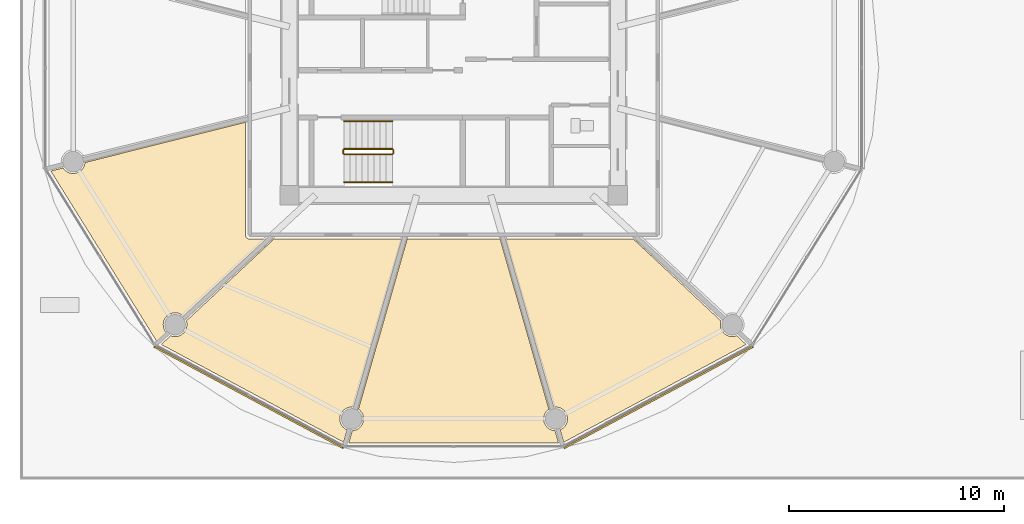
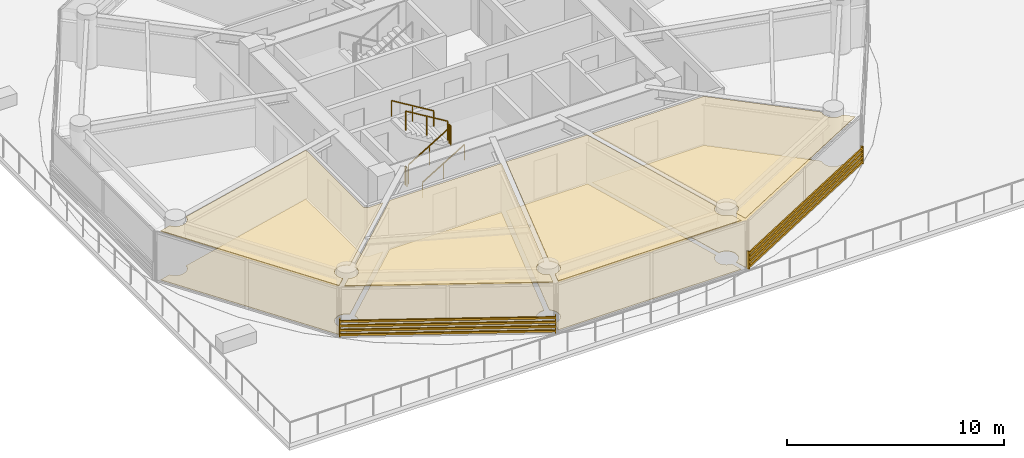
# One storey, part 22 of 32: 8 coverings, 6 railings, 2 shading devices.
"""IFC4 building model written with IfcOpenShell, lengths in metres."""

from ifc_helpers import new_model, si_unit, direction, frame, origin, origin_2d, place, context, subcontext, project, spatial, polyline, rectangle, outline, extrude, source, transform, mapped, material, layer, layer_set, type_object, type_shapes, element, save


model = new_model("IFC4")

# Units and contexts
model_context = context("Model", 3, precision=1e-05, world=origin(), true_north=direction((0.0, 1.0)))
body_context = subcontext(model_context, "Body", "Model", "MODEL_VIEW")
ifc_project = project(units=[si_unit("LENGTHUNIT", "METRE"), si_unit("AREAUNIT", "SQUARE_METRE"), si_unit("VOLUMEUNIT", "CUBIC_METRE"), si_unit("PLANEANGLEUNIT", "RADIAN"), si_unit("MASSUNIT", "GRAM", prefix="KILO")], contexts=[model_context])

# Site, building, storey
site_placement = place(None, origin())
site = spatial("IfcSite", under=ifc_project, at=site_placement, CompositionType="ELEMENT")
building_placement = place(site_placement, origin())
building = spatial("IfcBuilding", under=site, at=building_placement, Name="Norrkilde Senior Care Towers", CompositionType="ELEMENT")
storey_placement = place(building_placement, frame((0.0, 0.0, 21.60009765625)))
storey = spatial("IfcBuildingStorey", under=building, at=storey_placement, Name="L05", CompositionType="ELEMENT", Elevation=21.60009765625)

# Coverings
ifc_material_1 = material(Name="Nordic Ash Timber", Category="wood")
ifc_layer_1 = layer(ifc_material_1, 0.044921875)
ifc_layer_set_1 = layer_set([ifc_layer_1], Name="Nordic Ash Timber")
covering_type_1 = type_object("IfcCoveringType", Name="Acoustic Ash Timber Slatted Ceiling 45", PredefinedType="CEILING", material=ifc_layer_set_1)
covering_1_placement = place(storey_placement, frame((0.0, 0.0, 2.744873046875)))
element("IfcCovering", 1, at=covering_1_placement, inside=storey, type_object=covering_type_1, Name="L05 Suspended Ceiling 0131", PredefinedType="CEILING", context=body_context, shape_type="SweptSolid", body=[
    extrude(outline(polyline([(-37.697265625, -7.833251953125), (-37.69482421875, -7.8447265625), (-37.69287109375, -7.852294921875), (-37.689453125, -7.86376953125), (-37.68701171875, -7.87109375), (-37.682373046875, -7.8818359375), (-37.678955078125, -7.888916015625), (-37.673583984375, -7.8994140625), (-37.66943359375, -7.90625), (-37.662841796875, -7.916015625), (-37.658203125, -7.92236328125), (-37.65087890625, -7.931396484375), (-37.6455078125, -7.937255859375), (-37.63720703125, -7.945556640625), (-37.63134765625, -7.95068359375), (-37.622314453125, -7.958251953125), (-37.615966796875, -7.962890625), (-37.606201171875, -7.969482421875), (-37.599365234375, -7.973388671875), (-37.589111328125, -7.97900390625), (-37.58203125, -7.982421875), (-37.571044921875, -7.98681640625), (-37.563720703125, -7.989501953125), (-37.552490234375, -7.992919921875), (-37.544677734375, -7.994873046875), (-37.533203125, -7.9970703125), (-37.525390625, -7.998291015625), (-37.513671875, -7.99951171875), (-37.505859375, -7.999755859375), (-37.5, -8.0), (-36.72900390625, -8.0), (-40.577880859375, -11.599853515625), (-40.5830078125, -11.593017578125), (-40.697998046875, -11.5048828125), (-40.831787109375, -11.449462890625), (-40.975341796875, -11.430419921875), (-41.119140625, -11.449462890625), (-41.2529296875, -11.5048828125), (-41.367919921875, -11.593017578125), (-41.4560546875, -11.7080078125), (-41.511474609375, -11.841796875), (-41.530517578125, -11.9853515625), (-41.511474609375, -12.129150390625), (-41.4560546875, -12.262939453125), (-41.38525390625, -12.35498046875), (-41.826904296875, -12.76806640625), (-46.763916015625, -4.826171875), (-46.19140625, -4.6826171875), (-46.1171875, -4.779541015625), (-46.002197265625, -4.86767578125), (-45.868408203125, -4.923095703125), (-45.724853515625, -4.94189453125), (-45.5810546875, -4.923095703125), (-45.447265625, -4.86767578125), (-45.332275390625, -4.779541015625), (-45.244140625, -4.66455078125), (-45.188720703125, -4.530517578125), (-45.175048828125, -4.427978515625), (-37.699951171875, -2.5546875), (-37.699951171875, -7.800048828125), (-37.699951171875, -7.805908203125), (-37.699462890625, -7.813720703125), (-37.6982421875, -7.825439453125), (-37.697265625, -7.833251953125)])), origin(), (0.0, 0.0, 1.0), 0.044921875),
])
covering_2_placement = place(storey_placement, frame((0.0, 0.0, 2.744873046875)))
element("IfcCovering", 2, at=covering_2_placement, inside=storey, type_object=covering_type_1, Name="L05 Suspended Ceiling 0132", PredefinedType="CEILING", context=body_context, shape_type="SweptSolid", body=[
    extrude(outline(polyline([(-41.62109375, -12.904296875), (-41.183349609375, -12.494873046875), (-41.119140625, -12.521484375), (-40.975341796875, -12.54052734375), (-40.831787109375, -12.521484375), (-40.697998046875, -12.466064453125), (-40.5830078125, -12.3779296875), (-40.494873046875, -12.262939453125), (-40.439208984375, -12.129150390625), (-40.42041015625, -11.9853515625), (-40.439208984375, -11.841796875), (-40.4521484375, -11.810791015625), (-36.377685546875, -8.0), (-30.416748046875, -8.0), (-32.65966796875, -15.829345703125), (-32.749267578125, -15.8173828125), (-32.89306640625, -15.83642578125), (-33.02685546875, -15.891845703125), (-33.141845703125, -15.97998046875), (-33.22998046875, -16.094970703125), (-33.285400390625, -16.228759765625), (-33.304443359375, -16.37255859375), (-33.285400390625, -16.51611328125), (-33.22998046875, -16.64990234375), (-33.141845703125, -16.764892578125), (-33.02685546875, -16.85302734375), (-32.960693359375, -16.88037109375), (-33.12646484375, -17.458984375), (-41.62109375, -12.904296875)])), origin(), (0.0, 0.0, 1.0), 0.044921875),
])
covering_3_placement = place(storey_placement, frame((0.0, 0.0, 2.744873046875)))
element("IfcCovering", 3, at=covering_3_placement, inside=storey, type_object=covering_type_1, Name="L05 Suspended Ceiling 0133", PredefinedType="CEILING", context=body_context, shape_type="SweptSolid", body=[
    extrude(outline(polyline([(-32.88818359375, -17.49853515625), (-32.7236328125, -16.924072265625), (-32.605712890625, -16.908447265625), (-32.471923828125, -16.85302734375), (-32.35693359375, -16.764892578125), (-32.268798828125, -16.64990234375), (-32.213134765625, -16.51611328125), (-32.1943359375, -16.37255859375), (-32.213134765625, -16.228759765625), (-32.268798828125, -16.094970703125), (-32.35693359375, -15.97998046875), (-32.435791015625, -15.91943359375), (-30.1669921875, -8.0), (-25.8330078125, -8.0), (-23.564208984375, -15.91943359375), (-23.64306640625, -15.97998046875), (-23.731201171875, -16.094970703125), (-23.786865234375, -16.228759765625), (-23.8056640625, -16.37255859375), (-23.786865234375, -16.51611328125), (-23.731201171875, -16.64990234375), (-23.64306640625, -16.764892578125), (-23.528076171875, -16.85302734375), (-23.394287109375, -16.908447265625), (-23.2763671875, -16.924072265625), (-23.11181640625, -17.49853515625), (-32.88818359375, -17.49853515625)])), origin(), (0.0, 0.0, 1.0), 0.044921875),
])
ifc_material_2 = material(Name="Gypsum Acoustic Board")
ifc_layer_2 = layer(ifc_material_2, 0.030029296875)
ifc_layer_set_2 = layer_set([ifc_layer_2], Name="Gypsum Acoustic Board")
covering_type_2 = type_object("IfcCoveringType", Name="Medical Cleanable Gypsum Ceiling 30", PredefinedType="CEILING", material=ifc_layer_set_2)
covering_4_placement = place(storey_placement, frame((0.0, 0.0, 2.760009765625)))
element("IfcCovering", 4, at=covering_4_placement, inside=storey, type_object=covering_type_2, Name="L05 Suspended Ceiling 0134", PredefinedType="CEILING", context=body_context, shape_type="SweptSolid", body=[
    extrude(outline(polyline([(-22.87353515625, -17.458984375), (-23.039306640625, -16.88037109375), (-22.97314453125, -16.85302734375), (-22.858154296875, -16.764892578125), (-22.77001953125, -16.64990234375), (-22.714599609375, -16.51611328125), (-22.695556640625, -16.37255859375), (-22.714599609375, -16.228759765625), (-22.77001953125, -16.094970703125), (-22.858154296875, -15.97998046875), (-22.97314453125, -15.891845703125), (-23.10693359375, -15.83642578125), (-23.250732421875, -15.8173828125), (-23.34033203125, -15.829345703125), (-25.583251953125, -8.0), (-19.622314453125, -8.0), (-15.5478515625, -11.810791015625), (-15.560791015625, -11.841796875), (-15.57958984375, -11.9853515625), (-15.560791015625, -12.129150390625), (-15.505126953125, -12.262939453125), (-15.4169921875, -12.3779296875), (-15.302001953125, -12.466064453125), (-15.168212890625, -12.521484375), (-15.024658203125, -12.54052734375), (-14.880859375, -12.521484375), (-14.816650390625, -12.494873046875), (-14.37890625, -12.904296875), (-22.87353515625, -17.458984375)])), origin(), (0.0, 0.0, 1.0), 0.02978515625),
])
ifc_material_3 = material(Name="Slip-Resistant Porcelain Stone", Category="masonry")
ifc_layer_3 = layer(ifc_material_3, 0.02490234375)
ifc_layer_set_3 = layer_set([ifc_layer_3], Name="Slip-Resistant Porcelain Stone")
covering_type_3 = type_object("IfcCoveringType", Name="Slip-Resistant Porcelain Flooring 25", PredefinedType="FLOORING", material=ifc_layer_set_3)
covering_5_placement = place(storey_placement, origin())
element("IfcCovering", 5, at=covering_5_placement, inside=storey, type_object=covering_type_3, Name="L05 Floor Finish 0131", PredefinedType="FLOORING", context=body_context, shape_type="SweptSolid", body=[
    extrude(outline(polyline([(-37.697265625, -7.833251953125), (-37.69482421875, -7.8447265625), (-37.69287109375, -7.852294921875), (-37.689453125, -7.86376953125), (-37.68701171875, -7.87109375), (-37.682373046875, -7.8818359375), (-37.678955078125, -7.888916015625), (-37.673583984375, -7.8994140625), (-37.66943359375, -7.90625), (-37.662841796875, -7.916015625), (-37.658203125, -7.92236328125), (-37.65087890625, -7.931396484375), (-37.6455078125, -7.937255859375), (-37.63720703125, -7.945556640625), (-37.63134765625, -7.95068359375), (-37.622314453125, -7.958251953125), (-37.615966796875, -7.962890625), (-37.606201171875, -7.969482421875), (-37.599365234375, -7.973388671875), (-37.589111328125, -7.97900390625), (-37.58203125, -7.982421875), (-37.571044921875, -7.98681640625), (-37.563720703125, -7.989501953125), (-37.552490234375, -7.992919921875), (-37.544677734375, -7.994873046875), (-37.533203125, -7.9970703125), (-37.525390625, -7.998291015625), (-37.513671875, -7.99951171875), (-37.505859375, -7.999755859375), (-37.5, -8.0), (-36.72900390625, -8.0), (-40.577880859375, -11.599853515625), (-40.5830078125, -11.593017578125), (-40.697998046875, -11.5048828125), (-40.831787109375, -11.449462890625), (-40.975341796875, -11.430419921875), (-41.119140625, -11.449462890625), (-41.2529296875, -11.5048828125), (-41.367919921875, -11.593017578125), (-41.4560546875, -11.7080078125), (-41.511474609375, -11.841796875), (-41.530517578125, -11.9853515625), (-41.511474609375, -12.129150390625), (-41.4560546875, -12.262939453125), (-41.38525390625, -12.35498046875), (-41.826904296875, -12.76806640625), (-46.763916015625, -4.826171875), (-46.19140625, -4.6826171875), (-46.1171875, -4.779541015625), (-46.002197265625, -4.86767578125), (-45.868408203125, -4.923095703125), (-45.724853515625, -4.94189453125), (-45.5810546875, -4.923095703125), (-45.447265625, -4.86767578125), (-45.332275390625, -4.779541015625), (-45.244140625, -4.66455078125), (-45.188720703125, -4.530517578125), (-45.175048828125, -4.427978515625), (-37.699951171875, -2.5546875), (-37.699951171875, -7.800048828125), (-37.699951171875, -7.805908203125), (-37.699462890625, -7.813720703125), (-37.6982421875, -7.825439453125), (-37.697265625, -7.833251953125)])), origin(), (0.0, 0.0, 1.0), 0.02490234375),
])
covering_6_placement = place(storey_placement, origin())
element("IfcCovering", 6, at=covering_6_placement, inside=storey, type_object=covering_type_3, Name="L05 Floor Finish 0132", PredefinedType="FLOORING", context=body_context, shape_type="SweptSolid", body=[
    extrude(outline(polyline([(-41.62109375, -12.904296875), (-41.183349609375, -12.494873046875), (-41.119140625, -12.521484375), (-40.975341796875, -12.54052734375), (-40.831787109375, -12.521484375), (-40.697998046875, -12.466064453125), (-40.5830078125, -12.3779296875), (-40.494873046875, -12.262939453125), (-40.439208984375, -12.129150390625), (-40.42041015625, -11.9853515625), (-40.439208984375, -11.841796875), (-40.4521484375, -11.810791015625), (-36.377685546875, -8.0), (-30.416748046875, -8.0), (-32.65966796875, -15.829345703125), (-32.749267578125, -15.8173828125), (-32.89306640625, -15.83642578125), (-33.02685546875, -15.891845703125), (-33.141845703125, -15.97998046875), (-33.22998046875, -16.094970703125), (-33.285400390625, -16.228759765625), (-33.304443359375, -16.37255859375), (-33.285400390625, -16.51611328125), (-33.22998046875, -16.64990234375), (-33.141845703125, -16.764892578125), (-33.02685546875, -16.85302734375), (-32.960693359375, -16.88037109375), (-33.12646484375, -17.458984375), (-41.62109375, -12.904296875)])), origin(), (0.0, 0.0, 1.0), 0.02490234375),
])
covering_7_placement = place(storey_placement, origin())
element("IfcCovering", 7, at=covering_7_placement, inside=storey, type_object=covering_type_3, Name="L05 Floor Finish 0133", PredefinedType="FLOORING", context=body_context, shape_type="SweptSolid", body=[
    extrude(outline(polyline([(-32.88818359375, -17.49853515625), (-32.7236328125, -16.924072265625), (-32.605712890625, -16.908447265625), (-32.471923828125, -16.85302734375), (-32.35693359375, -16.764892578125), (-32.268798828125, -16.64990234375), (-32.213134765625, -16.51611328125), (-32.1943359375, -16.37255859375), (-32.213134765625, -16.228759765625), (-32.268798828125, -16.094970703125), (-32.35693359375, -15.97998046875), (-32.435791015625, -15.91943359375), (-30.1669921875, -8.0), (-25.8330078125, -8.0), (-23.564208984375, -15.91943359375), (-23.64306640625, -15.97998046875), (-23.731201171875, -16.094970703125), (-23.786865234375, -16.228759765625), (-23.8056640625, -16.37255859375), (-23.786865234375, -16.51611328125), (-23.731201171875, -16.64990234375), (-23.64306640625, -16.764892578125), (-23.528076171875, -16.85302734375), (-23.394287109375, -16.908447265625), (-23.2763671875, -16.924072265625), (-23.11181640625, -17.49853515625), (-32.88818359375, -17.49853515625)])), origin(), (0.0, 0.0, 1.0), 0.02490234375),
])
covering_8_placement = place(storey_placement, origin())
element("IfcCovering", 8, at=covering_8_placement, inside=storey, type_object=covering_type_3, Name="L05 Floor Finish 0134", PredefinedType="FLOORING", context=body_context, shape_type="SweptSolid", body=[
    extrude(outline(polyline([(-22.87353515625, -17.458984375), (-23.039306640625, -16.88037109375), (-22.97314453125, -16.85302734375), (-22.858154296875, -16.764892578125), (-22.77001953125, -16.64990234375), (-22.714599609375, -16.51611328125), (-22.695556640625, -16.37255859375), (-22.714599609375, -16.228759765625), (-22.77001953125, -16.094970703125), (-22.858154296875, -15.97998046875), (-22.97314453125, -15.891845703125), (-23.10693359375, -15.83642578125), (-23.250732421875, -15.8173828125), (-23.34033203125, -15.829345703125), (-25.583251953125, -8.0), (-19.622314453125, -8.0), (-15.5478515625, -11.810791015625), (-15.560791015625, -11.841796875), (-15.57958984375, -11.9853515625), (-15.560791015625, -12.129150390625), (-15.505126953125, -12.262939453125), (-15.4169921875, -12.3779296875), (-15.302001953125, -12.466064453125), (-15.168212890625, -12.521484375), (-15.024658203125, -12.54052734375), (-14.880859375, -12.521484375), (-14.816650390625, -12.494873046875), (-14.37890625, -12.904296875), (-22.87353515625, -17.458984375)])), origin(), (0.0, 0.0, 1.0), 0.02490234375),
])

# Railings
ifc_material_4 = material(Name="Stainless Steel", Category="steel")
railing_type_1 = type_object("IfcRailingType", Name="Stair and Terrace Guardrail 1100", PredefinedType="GUARDRAIL", material=ifc_material_4)
railing_1_placement = place(storey_placement, frame((-33.10009765625, -4.050048828125, 0.16943359375)))
element("IfcRailing", 9, at=railing_1_placement, inside=storey, type_object=railing_type_1, Name="L05 ST-W2 stair guard 1", PredefinedType="GUARDRAIL", context=body_context, shape_type="SweptSolid", body=[
    extrude(rectangle(XDim=0.048095703125, YDim=0.048095703125, at=origin_2d()), frame((0.0, 0.0, 1.076171875), z_axis=(0.855553338991, 0.0, 0.51771467445), x_axis=(0.0, 1.0, 0.0)), (0.0, 0.0, 1.0), 2.6181640625),
    extrude(rectangle(XDim=0.0419921875, YDim=0.0419921875, at=origin_2d()), origin(), (0.0, 0.0, 1.0), 1.050048828125),
    extrude(rectangle(XDim=0.0419921875, YDim=0.0419921875, at=origin_2d()), frame((1.1201171875, 0.0, 0.677734375)), (0.0, 0.0, 1.0), 1.050048828125),
    extrude(rectangle(XDim=0.0419921875, YDim=0.0419921875, at=origin_2d()), frame((2.239990234375, 0.0, 1.35546875)), (0.0, 0.0, 1.0), 1.050048828125),
])
railing_2_placement = place(storey_placement, frame((-30.81005859375, -4.0, 1.52490234375)))
element("IfcRailing", 10, at=railing_2_placement, inside=storey, type_object=railing_type_1, Name="L05 ST-W2 stair guard 2", PredefinedType="GUARDRAIL", context=body_context, shape_type="SweptSolid", body=[
    extrude(rectangle(XDim=0.048095703125, YDim=0.048095703125, at=origin_2d()), frame((0.0, 0.0, 1.076171875), z_axis=(0.0, 1.0, 0.0), x_axis=(-1.0, 0.0, 0.0)), (0.0, 0.0, 1.0), 0.14990234375),
    extrude(rectangle(XDim=0.0419921875, YDim=0.0419921875, at=origin_2d()), origin(), (0.0, 0.0, 1.0), 1.050048828125),
    extrude(rectangle(XDim=0.0419921875, YDim=0.0419921875, at=origin_2d()), frame((0.0, 0.14990234375, 0.0)), (0.0, 0.0, 1.0), 1.050048828125),
])
railing_3_placement = place(storey_placement, frame((-30.860107421875, -3.800048828125, 1.6943359375)))
element("IfcRailing", 11, at=railing_3_placement, inside=storey, type_object=railing_type_1, Name="L05 ST-W2 stair guard 3", PredefinedType="GUARDRAIL", context=body_context, shape_type="SweptSolid", body=[
    extrude(rectangle(XDim=0.048095703125, YDim=0.048095703125, at=origin_2d()), frame((0.0, 0.0, 1.076171875), z_axis=(-0.855553338991, 0.0, 0.51771467445), x_axis=(0.0, -1.0, 0.0)), (0.0, 0.0, 1.0), 2.6181640625),
    extrude(rectangle(XDim=0.0419921875, YDim=0.0419921875, at=origin_2d()), origin(), (0.0, 0.0, 1.0), 1.050048828125),
    extrude(rectangle(XDim=0.0419921875, YDim=0.0419921875, at=origin_2d()), frame((-1.1201171875, 0.0, 0.677734375)), (0.0, 0.0, 1.0), 1.050048828125),
    extrude(rectangle(XDim=0.0419921875, YDim=0.0419921875, at=origin_2d()), frame((-2.239990234375, 0.0, 1.35546875)), (0.0, 0.0, 1.0), 1.050048828125),
])
railing_4_placement = place(storey_placement, frame((-33.14990234375, -4.0, 0.0)))
element("IfcRailing", 12, at=railing_4_placement, inside=storey, type_object=railing_type_1, Name="L05 ST-W2 stair guard 4", PredefinedType="GUARDRAIL", context=body_context, shape_type="SweptSolid", body=[
    extrude(rectangle(XDim=0.048095703125, YDim=0.048095703125, at=origin_2d()), frame((0.0, 0.0, 1.076171875), z_axis=(0.0, 1.0, 0.0), x_axis=(-1.0, 0.0, 0.0)), (0.0, 0.0, 1.0), 0.14990234375),
    extrude(rectangle(XDim=0.0419921875, YDim=0.0419921875, at=origin_2d()), origin(), (0.0, 0.0, 1.0), 1.050048828125),
    extrude(rectangle(XDim=0.0419921875, YDim=0.0419921875, at=origin_2d()), frame((0.0, 0.14990234375, 0.0)), (0.0, 0.0, 1.0), 1.050048828125),
])
railing_type_2 = type_object("IfcRailingType", Name="Wall and Stair Handrail 900", PredefinedType="HANDRAIL", material=ifc_material_1)
railing_5_placement = place(storey_placement, frame((-33.10009765625, -5.35009765625, 0.16943359375)))
element("IfcRailing", 13, at=railing_5_placement, inside=storey, type_object=railing_type_2, Name="L05 ST-W2 stair handrail 1", PredefinedType="HANDRAIL", context=body_context, shape_type="SweptSolid", body=[
    extrude(rectangle(XDim=0.048095703125, YDim=0.048095703125, at=origin_2d()), frame((0.0, 0.0, 0.8759765625), z_axis=(0.855553338991, 0.0, 0.51771467445), x_axis=(0.0, 1.0, 0.0)), (0.0, 0.0, 1.0), 2.6181640625),
    extrude(rectangle(XDim=0.0419921875, YDim=0.0419921875, at=origin_2d()), origin(), (0.0, 0.0, 1.0), 0.849853515625),
    extrude(rectangle(XDim=0.0419921875, YDim=0.0419921875, at=origin_2d()), frame((1.1201171875, 0.0, 0.677734375)), (0.0, 0.0, 1.0), 0.849853515625),
    extrude(rectangle(XDim=0.0419921875, YDim=0.0419921875, at=origin_2d()), frame((2.239990234375, 0.0, 1.35546875)), (0.0, 0.0, 1.0), 0.849853515625),
])
railing_6_placement = place(storey_placement, frame((-30.860107421875, -2.5, 1.6943359375)))
element("IfcRailing", 14, at=railing_6_placement, inside=storey, type_object=railing_type_2, Name="L05 ST-W2 stair handrail 2", PredefinedType="HANDRAIL", context=body_context, shape_type="SweptSolid", body=[
    extrude(rectangle(XDim=0.048095703125, YDim=0.048095703125, at=origin_2d()), frame((0.0, 0.0, 0.8759765625), z_axis=(-0.855553338991, 0.0, 0.51771467445), x_axis=(0.0, -1.0, 0.0)), (0.0, 0.0, 1.0), 2.6181640625),
    extrude(rectangle(XDim=0.0419921875, YDim=0.0419921875, at=origin_2d()), origin(), (0.0, 0.0, 1.0), 0.849853515625),
    extrude(rectangle(XDim=0.0419921875, YDim=0.0419921875, at=origin_2d()), frame((-1.1201171875, 0.0, 0.677734375)), (0.0, 0.0, 1.0), 0.849853515625),
    extrude(rectangle(XDim=0.0419921875, YDim=0.0419921875, at=origin_2d()), frame((-2.239990234375, 0.0, 1.35546875)), (0.0, 0.0, 1.0), 0.849853515625),
])

# Shading devices
ifc_material_5 = material(Name="Architectural Terracotta", Category="masonry")
shading_device_type = type_object("IfcShadingDeviceType", Name="Horizontal Terracotta Baguette Rack", PredefinedType="USERDEFINED", material=ifc_material_5)
shared_shape = source(origin(), body_context, "Body", "SweptSolid", [
    extrude(rectangle(XDim=0.070068359375, YDim=0.110107421875, at=origin_2d()), frame((0.0, 0.090087890625, 0.125), z_axis=(1.0, 0.0, 0.0), x_axis=(0.0, 1.0, 0.0)), (0.0, 0.0, 1.0), 10.0107421875),
    extrude(rectangle(XDim=0.070068359375, YDim=0.110107421875, at=origin_2d()), frame((0.0, 0.090087890625, 0.375), z_axis=(1.0, 0.0, 0.0), x_axis=(0.0, 1.0, 0.0)), (0.0, 0.0, 1.0), 10.0107421875),
    extrude(rectangle(XDim=0.070068359375, YDim=0.110107421875, at=origin_2d()), frame((0.0, 0.090087890625, 0.625), z_axis=(1.0, 0.0, 0.0), x_axis=(0.0, 1.0, 0.0)), (0.0, 0.0, 1.0), 10.0107421875),
    extrude(rectangle(XDim=0.070068359375, YDim=0.110107421875, at=origin_2d()), frame((0.0, 0.090087890625, 0.875), z_axis=(1.0, 0.0, 0.0), x_axis=(0.0, 1.0, 0.0)), (0.0, 0.0, 1.0), 10.0107421875),
    extrude(rectangle(XDim=0.050048828125, YDim=0.1552734375, at=origin_2d()), frame((0.02490234375, 0.047607421875, 0.0)), (0.0, 0.0, 1.0), 1.0),
    extrude(rectangle(XDim=0.050048828125, YDim=0.1552734375, at=origin_2d()), frame((9.98583984375, 0.047607421875, 0.0)), (0.0, 0.0, 1.0), 1.0),
])
type_shapes(shading_device_type, [shared_shape])
for number, where, z_axis, x_axis, name in (
    (15, (-33.093505859375, -17.6572265625, 0.079833984375), (0.0, 0.0, 1.0), (-0.881279875134, 0.472612428056, 0.0), "L05 Drum W Terracotta Baguette Screen 07"),
    (16, (-14.084228515625, -12.926025390625, 0.079833984375), (0.0, 0.0, 1.0), (-0.881279875134, -0.472612428056, 0.0), "L05 Drum W Terracotta Baguette Screen 09"),
):
    element("IfcShadingDevice", number, at=place(storey_placement, frame(where, z_axis=z_axis, x_axis=x_axis)), inside=storey, type_object=shading_device_type, Name=name, ObjectType="BAGUETTE", PredefinedType="USERDEFINED", context=body_context, shape_type="MappedRepresentation", body=[
        mapped(shared_shape, transform((0.0, 0.0, 0.0), x_axis=(1.0, 0.0, 0.0), y_axis=(0.0, 1.0, 0.0), z_axis=(0.0, 0.0, 1.0), scale=1.0)),
    ])

save(model, "model.ifc")
